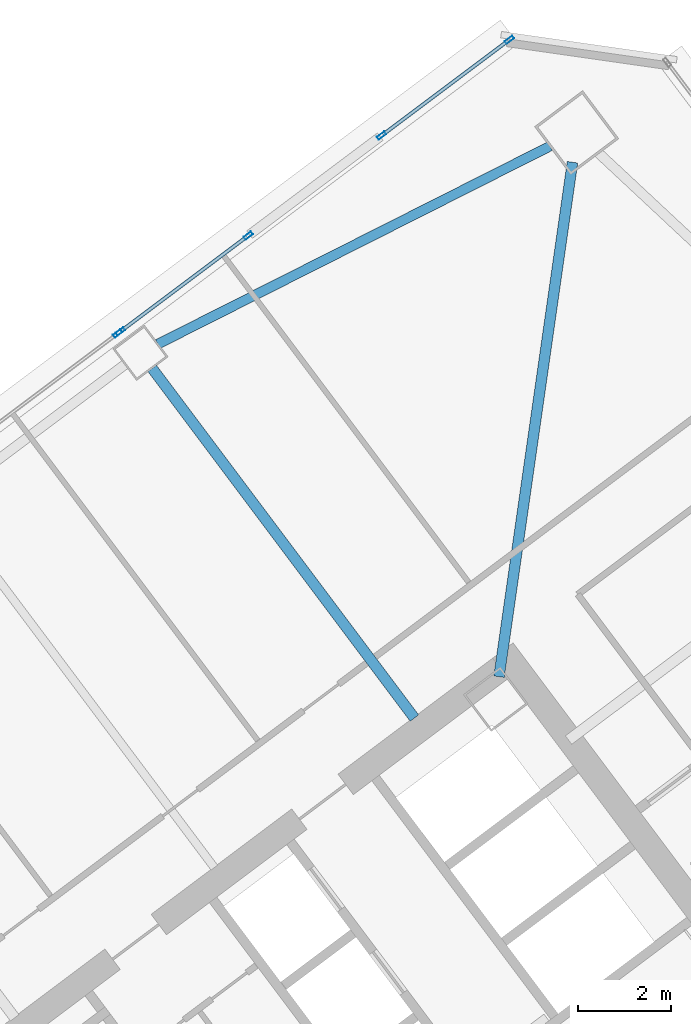
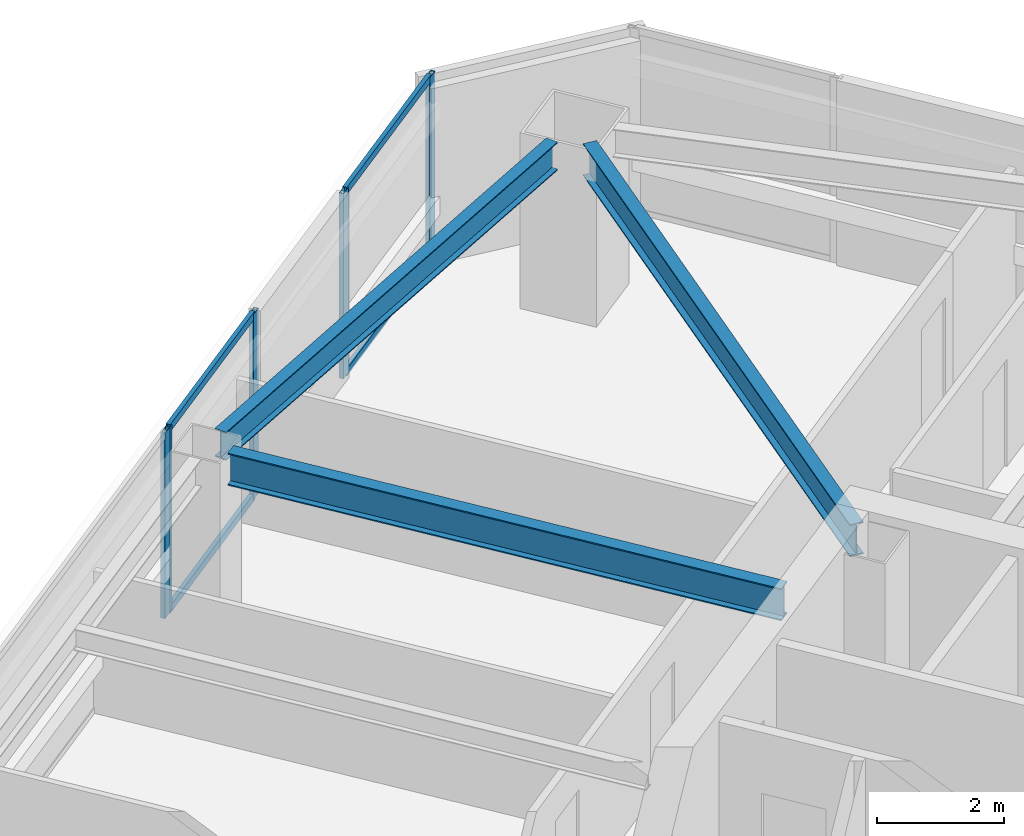
# One storey, part 31 of 46: 9 members, 3 beams, 3 elements without a shape of their own.
"""IFC4 building model written with IfcOpenShell, lengths in metres."""

from ifc_helpers import new_model, si_unit, direction, frame, origin, origin_2d, place, context, subcontext, project, spatial, hollow_rectangle, i_section, extrude, material, material_profile, profile_set, type_object, element, aggregate, save


model = new_model("IFC4")

# Units and contexts
model_context = context("Model", 3, precision=1e-05, world=origin(), true_north=direction((0.0, 1.0)))
body_context = subcontext(model_context, "Body", "Model", "MODEL_VIEW")
ifc_project = project(units=[si_unit("LENGTHUNIT", "METRE"), si_unit("AREAUNIT", "SQUARE_METRE"), si_unit("VOLUMEUNIT", "CUBIC_METRE"), si_unit("PLANEANGLEUNIT", "RADIAN"), si_unit("MASSUNIT", "GRAM", prefix="KILO")], contexts=[model_context])

# Site, building, storey
site_placement = place(None, origin())
site = spatial("IfcSite", under=ifc_project, at=site_placement, CompositionType="ELEMENT")
building_placement = place(site_placement, origin())
building = spatial("IfcBuilding", under=site, at=building_placement, Name="Tashvorn Skyway Center", CompositionType="ELEMENT")
storey_placement = place(building_placement, frame((0.0, 0.0, 139.25)))
storey = spatial("IfcBuildingStorey", under=building, at=storey_placement, Name="L37", CompositionType="ELEMENT", Elevation=139.25)

# Beams
ifc_material_1 = material(Name="Steel ASTM A992 Grade 50", Category="steel")
ifc_material_profile_1 = material_profile(ifc_material_1, i_section(OverallWidth=0.22998046875, OverallDepth=0.616943359375, WebThickness=0.01318359375, FlangeThickness=0.022216796875, at=origin_2d()), Name="W24X94")
ifc_profile_set_1 = profile_set([ifc_material_profile_1], Name="Steel ASTM A992 Grade 50")
beam_type_1 = type_object("IfcBeamType", Name="BM-BEAM-W24X94", PredefinedType="BEAM", material=ifc_profile_set_1)
beam_1_placement = place(storey_placement, frame((117.06884765625, 53.4814453125, 3.0615234375), z_axis=(-0.141430483583, -0.989948189712, 0.0), x_axis=(0.989948189712, -0.141430483583, 0.0)))
element("IfcBeam", 1, at=beam_1_placement, inside=storey, type_object=beam_type_1, Name="Tower 2 L37 Primary Floor Girder MC-NE", PredefinedType="BEAM", context=body_context, shape_type="SweptSolid", body=[
    extrude(i_section(OverallWidth=0.22998046875, OverallDepth=0.616943359375, WebThickness=0.01318359375, FlangeThickness=0.022216796875, at=origin_2d()), origin(), (0.0, 0.0, 1.0), 11.234375),
])
beam_2_placement = place(storey_placement, frame((107.98193359375, 49.02392578125, 3.0615234375), z_axis=(0.600020667896, -0.799984498661, 0.0), x_axis=(0.799984498661, 0.600020667896, 0.0)))
element("IfcBeam", 2, at=beam_2_placement, inside=storey, type_object=beam_type_1, Name="Tower 2 L37 Primary Floor Girder FC-N1", PredefinedType="BEAM", context=body_context, shape_type="SweptSolid", body=[
    extrude(i_section(OverallWidth=0.22998046875, OverallDepth=0.616943359375, WebThickness=0.01318359375, FlangeThickness=0.022216796875, at=origin_2d()), origin(), (0.0, 0.0, 1.0), 9.449951171875),
])
ifc_material_profile_2 = material_profile(ifc_material_1, i_section(OverallWidth=0.2109375, OverallDepth=0.5390625, WebThickness=0.01171875, FlangeThickness=0.018798828125, at=origin_2d()), Name="W21X73")
ifc_profile_set_2 = profile_set([ifc_material_profile_2], Name="Steel ASTM A992 Grade 50")
beam_type_2 = type_object("IfcBeamType", Name="BM-SPANDREL-W21X73", PredefinedType="SPANDREL", material=ifc_profile_set_2)
beam_3_placement = place(storey_placement, frame((116.584228515625, 53.829345703125, 3.1005859375), z_axis=(-0.892719124217, -0.450613543136, 0.0), x_axis=(0.450613543136, -0.892719124217, 0.0)))
element("IfcBeam", 3, at=beam_3_placement, inside=storey, type_object=beam_type_2, Name="Tower 2 L37 Spandrel Beam 07", PredefinedType="SPANDREL", context=body_context, shape_type="SweptSolid", body=[
    extrude(i_section(OverallWidth=0.2109375, OverallDepth=0.5390625, WebThickness=0.01171875, FlangeThickness=0.018798828125, at=origin_2d()), origin(), (0.0, 0.0, 1.0), 9.498291015625),
])

# Curtain wall, member
ifc_material_2 = material(Name="Thermally broken bronze-anodized aluminium 6063-T6", Category="aluminium")
curtain_wall_type = type_object("IfcCurtainWallType", Name="CW-CW-Z3", PredefinedType="NOTDEFINED", material=ifc_material_2)
curtain_wall_1_placement = place(storey_placement, origin())
curtain_wall_1 = element("IfcCurtainWall", 4, at=curtain_wall_1_placement, inside=storey, type_object=curtain_wall_type, Name="Tower 2 L37 North Unitised Curtain Wall Glazing Group 3", PredefinedType="NOTDEFINED")
ifc_material_profile_3 = material_profile(ifc_material_2, hollow_rectangle(XDim=0.074951171875, YDim=0.199951171875, WallThickness=0.00439453125, at=origin_2d()), Name="ALU-MULL-75x200")
ifc_profile_set_3 = profile_set([ifc_material_profile_3], Name="Thermally broken bronze-anodized aluminium 6063-T6")
member_type_1 = type_object("IfcMemberType", Name="CWM-CW-Z3", PredefinedType="MULLION", material=ifc_profile_set_3)
member_1_placement = place(storey_placement, frame((107.23681640625, 49.777587890625, 0.0), z_axis=(0.0, 0.0, 1.0), x_axis=(-0.599996977339, 0.800002266987, 0.0)))
member_1 = element("IfcMember", 5, at=member_1_placement, type_object=member_type_1, Name="CW-Z3 mullion 2", PredefinedType="MULLION", context=body_context, shape_type="SweptSolid", body=[
    extrude(hollow_rectangle(XDim=0.074951171875, YDim=0.199951171875, WallThickness=0.00439453125, at=origin_2d()), origin(), (0.0, 0.0, 1.0), 3.550048828125),
])
aggregate(curtain_wall_1, [member_1])

# Curtain wall, members
curtain_wall_2_placement = place(storey_placement, origin())
curtain_wall_2 = element("IfcCurtainWall", 6, at=curtain_wall_2_placement, inside=storey, type_object=curtain_wall_type, Name="Tower 2 L37 North Unitised Curtain Wall Glazing Group 4", PredefinedType="NOTDEFINED")
member_2_placement = place(storey_placement, frame((107.296630859375, 49.822509765625, 0.0), z_axis=(0.0, 0.0, 1.0), x_axis=(-0.599995465948, 0.800003400519, 0.0)))
member_2 = element("IfcMember", 7, at=member_2_placement, type_object=member_type_1, Name="CW-Z3 mullion 1", PredefinedType="MULLION", context=body_context, shape_type="SweptSolid", body=[
    extrude(hollow_rectangle(XDim=0.074951171875, YDim=0.199951171875, WallThickness=0.00439453125, at=origin_2d()), origin(), (0.0, 0.0, 1.0), 3.550048828125),
])
member_3_placement = place(storey_placement, frame((110.059814453125, 51.894775390625, 0.0), z_axis=(0.0, 0.0, 1.0), x_axis=(-0.599995465948, 0.800003400519, 0.0)))
member_3 = element("IfcMember", 8, at=member_3_placement, type_object=member_type_1, Name="CW-Z3 mullion 2", PredefinedType="MULLION", context=body_context, shape_type="SweptSolid", body=[
    extrude(hollow_rectangle(XDim=0.074951171875, YDim=0.199951171875, WallThickness=0.00439453125, at=origin_2d()), origin(), (0.0, 0.0, 1.0), 3.550048828125),
])

curtain_wall_3_placement = place(storey_placement, origin())
curtain_wall_3 = element("IfcCurtainWall", 9, at=curtain_wall_3_placement, inside=storey, type_object=curtain_wall_type, Name="Tower 2 L37 North Unitised Curtain Wall Glazing Group 5", PredefinedType="NOTDEFINED")
member_4_placement = place(storey_placement, frame((112.94287109375, 54.05712890625, 0.0), z_axis=(0.0, 0.0, 1.0), x_axis=(-0.599995465948, 0.800003400519, 0.0)))
member_4 = element("IfcMember", 10, at=member_4_placement, type_object=member_type_1, Name="CW-Z3 mullion 1", PredefinedType="MULLION", context=body_context, shape_type="SweptSolid", body=[
    extrude(hollow_rectangle(XDim=0.074951171875, YDim=0.199951171875, WallThickness=0.00439453125, at=origin_2d()), origin(), (0.0, 0.0, 1.0), 3.550048828125),
])
member_5_placement = place(storey_placement, frame((115.7060546875, 56.12939453125, 0.0), z_axis=(0.0, 0.0, 1.0), x_axis=(-0.599995465948, 0.800003400519, 0.0)))
member_5 = element("IfcMember", 11, at=member_5_placement, type_object=member_type_1, Name="CW-Z3 mullion 2", PredefinedType="MULLION", context=body_context, shape_type="SweptSolid", body=[
    extrude(hollow_rectangle(XDim=0.074951171875, YDim=0.199951171875, WallThickness=0.00439453125, at=origin_2d()), origin(), (0.0, 0.0, 1.0), 3.550048828125),
])

# Member
ifc_material_profile_4 = material_profile(ifc_material_2, hollow_rectangle(XDim=0.074951171875, YDim=0.139892578125, WallThickness=0.004150390625, at=origin_2d()), Name="ALU-TRAN-75x140")
ifc_profile_set_4 = profile_set([ifc_material_profile_4], Name="Thermally broken bronze-anodized aluminium 6063-T6")
member_type_2 = type_object("IfcMemberType", Name="CWT-CW-Z3", PredefinedType="USERDEFINED", material=ifc_profile_set_4)
member_6_placement = place(storey_placement, frame((107.32666015625, 49.844970703125, 0.03759765625), z_axis=(0.8, 0.6, 0.0), x_axis=(-0.6, 0.8, 0.0)))
member_6 = element("IfcMember", 12, at=member_6_placement, type_object=member_type_2, Name="CW-Z3 transom 1.1", ObjectType="TRANSOM", PredefinedType="USERDEFINED", context=body_context, shape_type="SweptSolid", body=[
    extrude(hollow_rectangle(XDim=0.074951171875, YDim=0.139892578125, WallThickness=0.004150390625, at=origin_2d()), origin(), (0.0, 0.0, 1.0), 3.37890625),
])

member_7_placement = place(storey_placement, frame((107.32666015625, 49.844970703125, 3.512451171875), z_axis=(0.8, 0.6, 0.0), x_axis=(-0.6, 0.8, 0.0)))
member_7 = element("IfcMember", 13, at=member_7_placement, type_object=member_type_2, Name="CW-Z3 transom 1.2", ObjectType="TRANSOM", PredefinedType="USERDEFINED", context=body_context, shape_type="SweptSolid", body=[
    extrude(hollow_rectangle(XDim=0.074951171875, YDim=0.139892578125, WallThickness=0.004150390625, at=origin_2d()), origin(), (0.0, 0.0, 1.0), 3.37890625),
])

aggregate(curtain_wall_2, [member_2, member_3, member_6, member_7])

member_8_placement = place(storey_placement, frame((112.972900390625, 54.07958984375, 0.03759765625), z_axis=(0.8, 0.6, 0.0), x_axis=(-0.6, 0.8, 0.0)))
member_8 = element("IfcMember", 14, at=member_8_placement, type_object=member_type_2, Name="CW-Z3 transom 1.1", ObjectType="TRANSOM", PredefinedType="USERDEFINED", context=body_context, shape_type="SweptSolid", body=[
    extrude(hollow_rectangle(XDim=0.074951171875, YDim=0.139892578125, WallThickness=0.004150390625, at=origin_2d()), origin(), (0.0, 0.0, 1.0), 3.37890625),
])

member_9_placement = place(storey_placement, frame((112.972900390625, 54.07958984375, 3.512451171875), z_axis=(0.8, 0.6, 0.0), x_axis=(-0.6, 0.8, 0.0)))
member_9 = element("IfcMember", 15, at=member_9_placement, type_object=member_type_2, Name="CW-Z3 transom 1.2", ObjectType="TRANSOM", PredefinedType="USERDEFINED", context=body_context, shape_type="SweptSolid", body=[
    extrude(hollow_rectangle(XDim=0.074951171875, YDim=0.139892578125, WallThickness=0.004150390625, at=origin_2d()), origin(), (0.0, 0.0, 1.0), 3.37890625),
])

aggregate(curtain_wall_3, [member_4, member_5, member_8, member_9])

save(model, "model.ifc")
